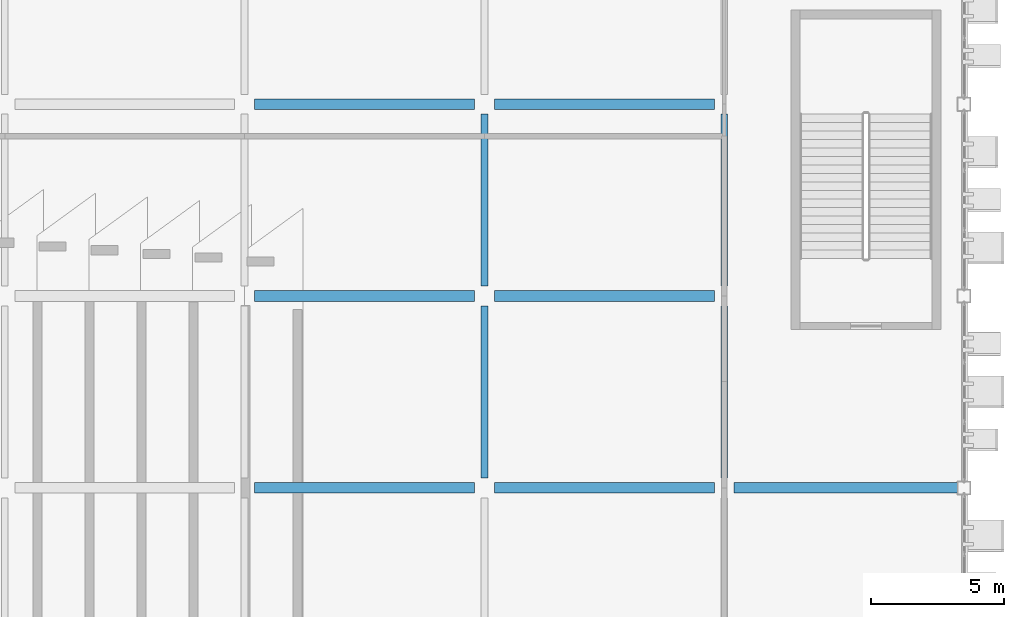
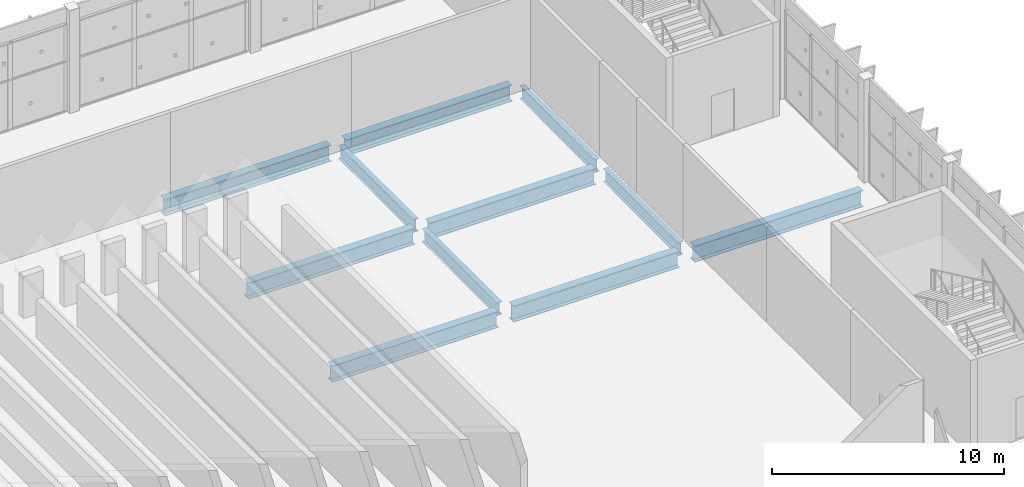
# One storey, part 108 of 189: 11 beams.
"""IFC4 building model written with IfcOpenShell, lengths in metres."""

from ifc_helpers import new_model, si_unit, direction, frame, origin, origin_2d, place, context, subcontext, project, spatial, i_section, extrude, material, material_profile, profile_set, type_object, element, save


model = new_model("IFC4")

# Units and contexts
model_context = context("Model", 3, precision=1e-05, world=origin(), true_north=direction((0.0, 1.0)))
body_context = subcontext(model_context, "Body", "Model", "MODEL_VIEW")
ifc_project = project(units=[si_unit("LENGTHUNIT", "METRE"), si_unit("AREAUNIT", "SQUARE_METRE"), si_unit("VOLUMEUNIT", "CUBIC_METRE"), si_unit("PLANEANGLEUNIT", "RADIAN"), si_unit("MASSUNIT", "GRAM", prefix="KILO")], contexts=[model_context])

# Site, building, storey
site_placement = place(None, origin())
site = spatial("IfcSite", under=ifc_project, at=site_placement, CompositionType="ELEMENT")
building_placement = place(site_placement, origin())
building = spatial("IfcBuilding", under=site, at=building_placement, Name="Celestram Park Convention Centre", CompositionType="ELEMENT")
storey_placement = place(building_placement, frame((0.0, 0.0, 5.39990234375)))
storey = spatial("IfcBuildingStorey", under=building, at=storey_placement, Name="L01", CompositionType="ELEMENT", Elevation=5.39990234375)

# Beams
ifc_material = material(Name="Steel ASTM A992 Grade 50", Category="steel")
ifc_material_profile_1 = material_profile(ifc_material, i_section(OverallWidth=0.25390625, OverallDepth=0.68310546875, WebThickness=0.012451171875, FlangeThickness=0.01904296875, at=origin_2d()), Name="W27X94")
ifc_profile_set_1 = profile_set([ifc_material_profile_1], Name="Steel ASTM A992 Grade 50")
beam_type_1 = type_object("IfcBeamType", Name="STR-BM-W27X94", PredefinedType="BEAM", material=ifc_profile_set_1)
beam_1_placement = place(storey_placement, frame((198.0, 144.373046875, -0.761474609375), z_axis=(0.0, 1.0, 0.0), x_axis=(-1.0, 0.0, 0.0)))
element("IfcBeam", 1, at=beam_1_placement, inside=storey, type_object=beam_type_1, Name="Primary Y-girder BG-L01-0506", PredefinedType="BEAM", context=body_context, shape_type="SweptSolid", body=[
    extrude(i_section(OverallWidth=0.25390625, OverallDepth=0.68310546875, WebThickness=0.012451171875, FlangeThickness=0.01904296875, at=origin_2d()), origin(), (0.0, 0.0, 1.0), 6.453857421875),
])
beam_2_placement = place(storey_placement, frame((198.0, 151.572998046875, -0.761474609375), z_axis=(0.0, 1.0, 0.0), x_axis=(-1.0, 0.0, 0.0)))
element("IfcBeam", 2, at=beam_2_placement, inside=storey, type_object=beam_type_1, Name="Primary Y-girder BG-L01-0508", PredefinedType="BEAM", context=body_context, shape_type="SweptSolid", body=[
    extrude(i_section(OverallWidth=0.25390625, OverallDepth=0.68310546875, WebThickness=0.012451171875, FlangeThickness=0.01904296875, at=origin_2d()), origin(), (0.0, 0.0, 1.0), 6.4541015625),
])
beam_3_placement = place(storey_placement, frame((207.0, 144.373046875, -0.761474609375), z_axis=(0.0, 1.0, 0.0), x_axis=(-1.0, 0.0, 0.0)))
element("IfcBeam", 3, at=beam_3_placement, inside=storey, type_object=beam_type_1, Name="Primary Y-girder BG-L01-0529", PredefinedType="BEAM", context=body_context, shape_type="SweptSolid", body=[
    extrude(i_section(OverallWidth=0.25390625, OverallDepth=0.68310546875, WebThickness=0.012451171875, FlangeThickness=0.01904296875, at=origin_2d()), origin(), (0.0, 0.0, 1.0), 6.453857421875),
])
beam_4_placement = place(storey_placement, frame((207.0, 151.572998046875, -0.761474609375), z_axis=(0.0, 1.0, 0.0), x_axis=(-1.0, 0.0, 0.0)))
element("IfcBeam", 4, at=beam_4_placement, inside=storey, type_object=beam_type_1, Name="Primary Y-girder BG-L01-0530", PredefinedType="BEAM", context=body_context, shape_type="SweptSolid", body=[
    extrude(i_section(OverallWidth=0.25390625, OverallDepth=0.68310546875, WebThickness=0.012451171875, FlangeThickness=0.01904296875, at=origin_2d()), origin(), (0.0, 0.0, 1.0), 6.4541015625),
])
ifc_material_profile_2 = material_profile(ifc_material, i_section(OverallWidth=0.40087890625, OverallDepth=0.85595703125, WebThickness=0.018310546875, FlangeThickness=0.029296875, at=origin_2d()), Name="W33X201")
ifc_profile_set_2 = profile_set([ifc_material_profile_2], Name="Steel ASTM A992 Grade 50")
beam_type_2 = type_object("IfcBeamType", Name="STR-BM-W33X201", PredefinedType="BEAM", material=ifc_profile_set_2)
for number, where, z_axis, x_axis, name in (
    (5, (189.373046875, 144.0, -0.847900390625), (1.0, 0.0, 0.0), (0.0, 1.0, 0.0), "Primary X-girder BG-L01-0479"),
    (6, (189.373046875, 151.199951171875, -0.847900390625), (1.0, 0.0, 0.0), (0.0, 1.0, 0.0), "Primary X-girder BG-L01-0481"),
    (7, (189.373046875, 158.39990234375, -0.847900390625), (1.0, 0.0, 0.0), (0.0, 1.0, 0.0), "Primary X-girder BG-L01-0483"),
    (8, (198.373046875, 144.0, -0.847900390625), (1.0, 0.0, 0.0), (0.0, 1.0, 0.0), "Primary X-girder BG-L01-0505"),
    (9, (198.373046875, 151.199951171875, -0.847900390625), (1.0, 0.0, 0.0), (0.0, 1.0, 0.0), "Primary X-girder BG-L01-0507"),
    (10, (198.373046875, 158.39990234375, -0.847900390625), (1.0, 0.0, 0.0), (0.0, 1.0, 0.0), "Primary X-girder BG-L01-0509"),
):
    element("IfcBeam", number, at=place(storey_placement, frame(where, z_axis=z_axis, x_axis=x_axis)), inside=storey, type_object=beam_type_2, Name=name, PredefinedType="BEAM", context=body_context, shape_type="SweptSolid", body=[
        extrude(i_section(OverallWidth=0.40087890625, OverallDepth=0.85595703125, WebThickness=0.018310546875, FlangeThickness=0.029296875, at=origin_2d()), origin(), (0.0, 0.0, 1.0), 8.25390625),
    ])
beam_5_placement = place(storey_placement, frame((207.373046875, 144.0, -0.847900390625), z_axis=(1.0, 0.0, 0.0), x_axis=(0.0, 1.0, 0.0)))
element("IfcBeam", 11, at=beam_5_placement, inside=storey, type_object=beam_type_2, Name="Primary X-girder BG-L01-0528", PredefinedType="BEAM", context=body_context, shape_type="SweptSolid", body=[
    extrude(i_section(OverallWidth=0.40087890625, OverallDepth=0.85595703125, WebThickness=0.018310546875, FlangeThickness=0.029296875, at=origin_2d()), origin(), (0.0, 0.0, 1.0), 8.37890625),
])

save(model, "model.ifc")
